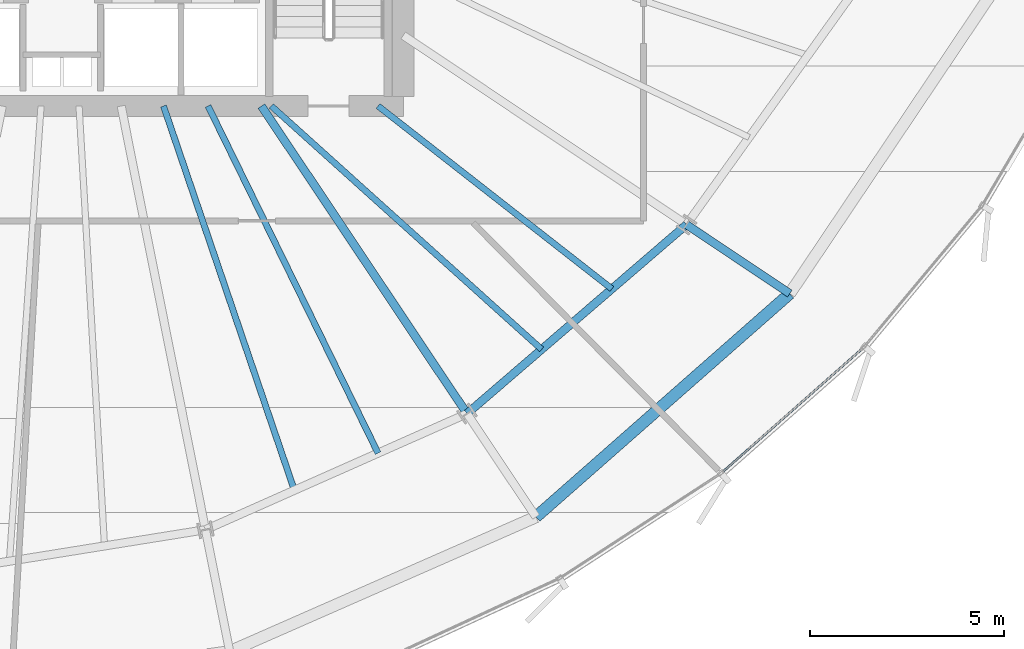
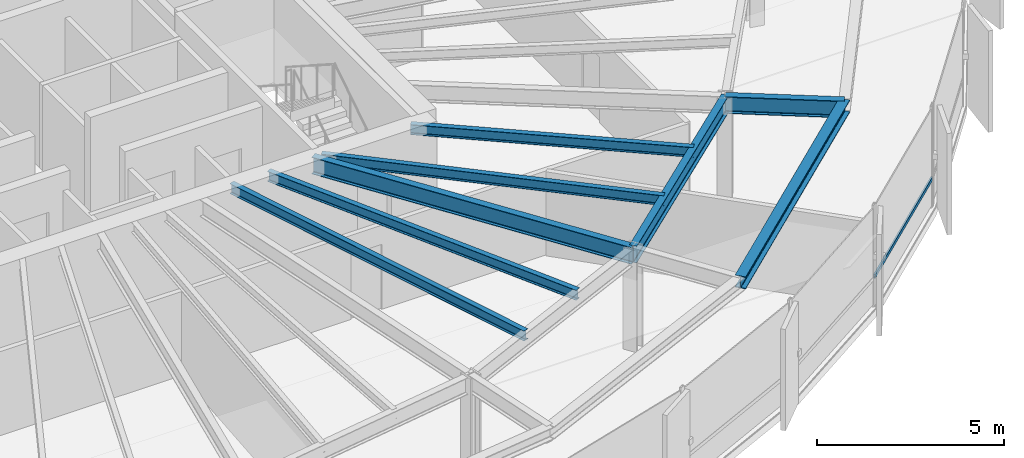
# One storey, part 13 of 33: 8 beams, 1 member, 1 element without a shape of its own.
"""IFC4 building model written with IfcOpenShell, lengths in metres."""

from ifc_helpers import new_model, si_unit, direction, frame, origin, origin_2d, place, context, subcontext, project, spatial, hollow_rectangle, i_section, extrude, source, transform, mapped, material, layer, layer_set, material_profile, profile_set, type_object, element, aggregate, save


model = new_model("IFC4")

# Units and contexts
model_context = context("Model", 3, precision=1e-05, world=origin(), true_north=direction((0.0, 1.0)))
body_context = subcontext(model_context, "Body", "Model", "MODEL_VIEW")
ifc_project = project(units=[si_unit("LENGTHUNIT", "METRE"), si_unit("AREAUNIT", "SQUARE_METRE"), si_unit("VOLUMEUNIT", "CUBIC_METRE"), si_unit("PLANEANGLEUNIT", "RADIAN"), si_unit("MASSUNIT", "GRAM", prefix="KILO"), si_unit("THERMODYNAMICTEMPERATUREUNIT", "KELVIN")], contexts=[model_context])

# Site, building, storey
site_placement = place(None, origin())
site = spatial("IfcSite", under=ifc_project, at=site_placement, CompositionType="ELEMENT")
building_placement = place(site_placement, origin())
building = spatial("IfcBuilding", under=site, at=building_placement, Name="Kethvar Cultural Tower", CompositionType="ELEMENT")
storey_placement = place(building_placement, frame((0.0, 0.0, 118.0)))
storey = spatial("IfcBuildingStorey", under=building, at=storey_placement, Name="L29", CompositionType="ELEMENT", Elevation=118.0)

# Beams
ifc_material_1 = material(Name="Steel S355J2", Category="steel")
ifc_material_profile_1 = material_profile(ifc_material_1, i_section(OverallWidth=0.2099609375, OverallDepth=0.550048828125, WebThickness=0.010986328125, FlangeThickness=0.01708984375, FilletRadius=0.02392578125, at=origin_2d()), Name="Steel S355J2 — IPE550")
ifc_profile_set_1 = profile_set([ifc_material_profile_1], Name="Steel S355J2 — IPE550")
beam_type_1 = type_object("IfcBeamType", Name="BM-IPE550", PredefinedType="BEAM", material=ifc_profile_set_1)
shared_shape_1 = source(origin(), body_context, "Body", "SweptSolid", [
    extrude(i_section(OverallWidth=0.2099609375, OverallDepth=0.550048828125, WebThickness=0.010986328125, FlangeThickness=0.01708984375, FilletRadius=0.02392578125, at=origin_2d()), origin(), (0.0, 0.0, 1.0), 3.199951171875),
])
beam_1_placement = place(storey_placement, frame((62.898681640625, 17.043212890625, 3.072998046875), z_axis=(0.831462943996, -0.555580212716, 0.0), x_axis=(0.555580212716, 0.831462943996, 0.0)))
element("IfcBeam", 1, at=beam_1_placement, inside=storey, type_object=beam_type_1, Name="L29 Perimeter Cantilever Beam RC-15", PredefinedType="BEAM", context=body_context, shape_type="MappedRepresentation", body=[
    mapped(shared_shape_1, transform((0.0, 0.0, 0.0), scale=1.0)),
])
shared_shape_2 = source(origin(), body_context, "Body", "SweptSolid", [
    extrude(i_section(OverallWidth=0.2099609375, OverallDepth=0.550048828125, WebThickness=0.010986328125, FlangeThickness=0.01708984375, FilletRadius=0.02392578125, at=origin_2d()), origin(), (0.0, 0.0, 1.0), 9.534423828125),
])
beam_2_placement = place(storey_placement, frame((51.945068359375, 20.10009765625, 3.072998046875), z_axis=(0.555550817894, -0.831482584747, 0.0), x_axis=(0.831482584747, 0.555550817894, 0.0)))
element("IfcBeam", 2, at=beam_2_placement, inside=storey, type_object=beam_type_1, Name="L29 Primary Radial Beam RB-14", PredefinedType="BEAM", context=body_context, shape_type="MappedRepresentation", body=[
    mapped(shared_shape_2, transform((0.0, 0.0, 0.0), scale=1.0)),
])
ifc_material_profile_2 = material_profile(ifc_material_1, i_section(OverallWidth=0.159912109375, OverallDepth=0.330078125, WebThickness=0.007568359375, FlangeThickness=0.011474609375, FilletRadius=0.01806640625, at=origin_2d()), Name="Steel S355J2 — IPE330")
ifc_profile_set_2 = profile_set([ifc_material_profile_2], Name="Steel S355J2 — IPE330")
beam_type_2 = type_object("IfcBeamType", Name="BM-J330", PredefinedType="JOIST", material=ifc_profile_set_2)
shared_shape_3 = source(origin(), body_context, "Body", "SweptSolid", [
    extrude(i_section(OverallWidth=0.159912109375, OverallDepth=0.330078125, WebThickness=0.007568359375, FlangeThickness=0.011474609375, FilletRadius=0.01806640625, at=origin_2d()), origin(), (0.0, 0.0, 1.0), 10.45947265625),
])
beam_3_placement = place(storey_placement, frame((49.42236328125, 20.10009765625, 3.18310546875), z_axis=(0.322390188368, -0.94660687006, 0.0), x_axis=(0.94660687006, 0.322390188368, 0.0)))
element("IfcBeam", 3, at=beam_3_placement, inside=storey, type_object=beam_type_2, Name="L29 Composite Floor Joist J-13A", PredefinedType="JOIST", context=body_context, shape_type="MappedRepresentation", body=[
    mapped(shared_shape_3, transform((0.0, 0.0, 0.0), scale=1.0)),
])
shared_shape_4 = source(origin(), body_context, "Body", "SweptSolid", [
    extrude(i_section(OverallWidth=0.159912109375, OverallDepth=0.330078125, WebThickness=0.007568359375, FlangeThickness=0.011474609375, FilletRadius=0.01806640625, at=origin_2d()), origin(), (0.0, 0.0, 1.0), 9.959228515625),
])
beam_4_placement = place(storey_placement, frame((50.57080078125, 20.10009765625, 3.18310546875), z_axis=(0.439785134514, -0.898103020516, 0.0), x_axis=(0.898103020516, 0.439785134514, 0.0)))
element("IfcBeam", 4, at=beam_4_placement, inside=storey, type_object=beam_type_2, Name="L29 Composite Floor Joist J-13B", PredefinedType="JOIST", context=body_context, shape_type="MappedRepresentation", body=[
    mapped(shared_shape_4, transform((0.0, 0.0, 0.0), scale=1.0)),
])
shared_shape_5 = source(origin(), body_context, "Body", "SweptSolid", [
    extrude(i_section(OverallWidth=0.2099609375, OverallDepth=0.550048828125, WebThickness=0.010986328125, FlangeThickness=0.01708984375, FilletRadius=0.02392578125, at=origin_2d()), origin(), (0.0, 0.0, 1.0), 7.46484375),
])
beam_5_placement = place(storey_placement, frame((57.241943359375, 12.17236328125, 3.072998046875), z_axis=(0.757784075291, 0.652505398625, 0.0), x_axis=(-0.652505398625, 0.757784075291, 0.0)))
element("IfcBeam", 5, at=beam_5_placement, inside=storey, type_object=beam_type_1, Name="L29 Column Ring Tie Beam CR-14", PredefinedType="BEAM", context=body_context, shape_type="MappedRepresentation", body=[
    mapped(shared_shape_5, transform((0.0, 0.0, 0.0), scale=1.0)),
])
ifc_material_profile_3 = material_profile(ifc_material_1, i_section(OverallWidth=0.300048828125, OverallDepth=0.39990234375, WebThickness=0.013427734375, FlangeThickness=0.02392578125, FilletRadius=0.027099609375, at=origin_2d()), Name="Steel S355J2 — HEB400")
ifc_profile_set_3 = profile_set([ifc_material_profile_3], Name="Steel S355J2 — HEB400")
beam_type_3 = type_object("IfcBeamType", Name="BM-SP400", PredefinedType="SPANDREL", material=ifc_profile_set_3)
shared_shape_6 = source(origin(), body_context, "Body", "SweptSolid", [
    extrude(i_section(OverallWidth=0.300048828125, OverallDepth=0.39990234375, WebThickness=0.013427734375, FlangeThickness=0.02392578125, FilletRadius=0.027099609375, at=origin_2d()), origin(), (0.0, 0.0, 1.0), 8.71044921875),
])
beam_6_placement = place(storey_placement, frame((59.019775390625, 9.51171875, 3.14794921875), z_axis=(0.75077856833, 0.660553965498, 0.0), x_axis=(-0.660553965498, 0.75077856833, 0.0)))
element("IfcBeam", 6, at=beam_6_placement, inside=storey, type_object=beam_type_3, Name="L29 Perimeter Spandrel Beam SP-14", PredefinedType="SPANDREL", context=body_context, shape_type="MappedRepresentation", body=[
    mapped(shared_shape_6, transform((0.0, 0.0, 0.0), scale=1.0)),
])
shared_shape_7 = source(origin(), body_context, "Body", "SweptSolid", [
    extrude(i_section(OverallWidth=0.159912109375, OverallDepth=0.330078125, WebThickness=0.007568359375, FlangeThickness=0.011474609375, FilletRadius=0.01806640625, at=origin_2d()), origin(), (0.0, 0.0, 1.0), 9.372802734375),
])
beam_7_placement = place(storey_placement, frame((52.199951171875, 20.10009765625, 3.18310546875), z_axis=(0.743151656479, -0.669123019685, 0.0), x_axis=(0.669123019685, 0.743151656479, 0.0)))
element("IfcBeam", 7, at=beam_7_placement, inside=storey, type_object=beam_type_2, Name="L29 Composite Floor Joist J-14A", PredefinedType="JOIST", context=body_context, shape_type="MappedRepresentation", body=[
    mapped(shared_shape_7, transform((0.0, 0.0, 0.0), scale=1.0)),
])
shared_shape_8 = source(origin(), body_context, "Body", "SweptSolid", [
    extrude(i_section(OverallWidth=0.159912109375, OverallDepth=0.330078125, WebThickness=0.007568359375, FlangeThickness=0.011474609375, FilletRadius=0.01806640625, at=origin_2d()), origin(), (0.0, 0.0, 1.0), 7.649658203125),
])
beam_8_placement = place(storey_placement, frame((54.949951171875, 20.10009765625, 3.18310546875), z_axis=(0.787671994752, -0.616094821179, 0.0), x_axis=(0.616094821179, 0.787671994752, 0.0)))
element("IfcBeam", 8, at=beam_8_placement, inside=storey, type_object=beam_type_2, Name="L29 Composite Floor Joist J-14B", PredefinedType="JOIST", context=body_context, shape_type="MappedRepresentation", body=[
    mapped(shared_shape_8, transform((0.0, 0.0, 0.0), scale=1.0)),
])

# Curtain wall, member
ifc_material_2 = material(Name="Aluminium 6063-T6", Category="aluminium")
ifc_layer = layer(ifc_material_2, 0.179931640625, Name="Aluminium 6063-T6", Category="aluminium")
ifc_layer_set = layer_set([ifc_layer], Name="Aluminium 6063-T6 (180 mm)")
curtain_wall_type = type_object("IfcCurtainWallType", Name="CW-SYS-03-Z2", PredefinedType="NOTDEFINED", material=ifc_layer_set)
curtain_wall_placement = place(storey_placement, origin())
curtain_wall = element("IfcCurtainWall", 9, at=curtain_wall_placement, inside=storey, type_object=curtain_wall_type, Name="L29 Curtain Wall Run 05", PredefinedType="NOTDEFINED")
ifc_material_profile_4 = material_profile(ifc_material_2, hollow_rectangle(XDim=0.054931640625, YDim=0.1201171875, WallThickness=0.00390625, at=origin_2d()), Name="Aluminium 6063-T6 — RHS120x55x4")
ifc_profile_set_4 = profile_set([ifc_material_profile_4], Name="Aluminium 6063-T6 — RHS120x55x4")
member_type = type_object("IfcMemberType", Name="CW-SYS-03-Z2-TRN", PredefinedType="USERDEFINED", material=ifc_profile_set_4)
shared_shape_9 = source(origin(), body_context, "Body", "SweptSolid", [
    extrude(hollow_rectangle(XDim=0.054931640625, YDim=0.1201171875, WallThickness=0.00390625, at=origin_2d()), origin(), (0.0, 0.0, 1.0), 4.821044921875),
])
member_placement = place(storey_placement, frame((63.82470703125, 10.66650390625, 0.949951171875), z_axis=(0.749623532102, 0.661864457513, 0.0), x_axis=(-0.661864457513, 0.749623532102, 0.0)))
member = element("IfcMember", 10, at=member_placement, type_object=member_type, Name="CW-L29-R05 Transom 6", ObjectType="TRANSOM", PredefinedType="USERDEFINED", context=body_context, shape_type="MappedRepresentation", body=[
    mapped(shared_shape_9, transform((0.0, 0.0, 0.0), scale=1.0)),
])
aggregate(curtain_wall, [member])

save(model, "model.ifc")
